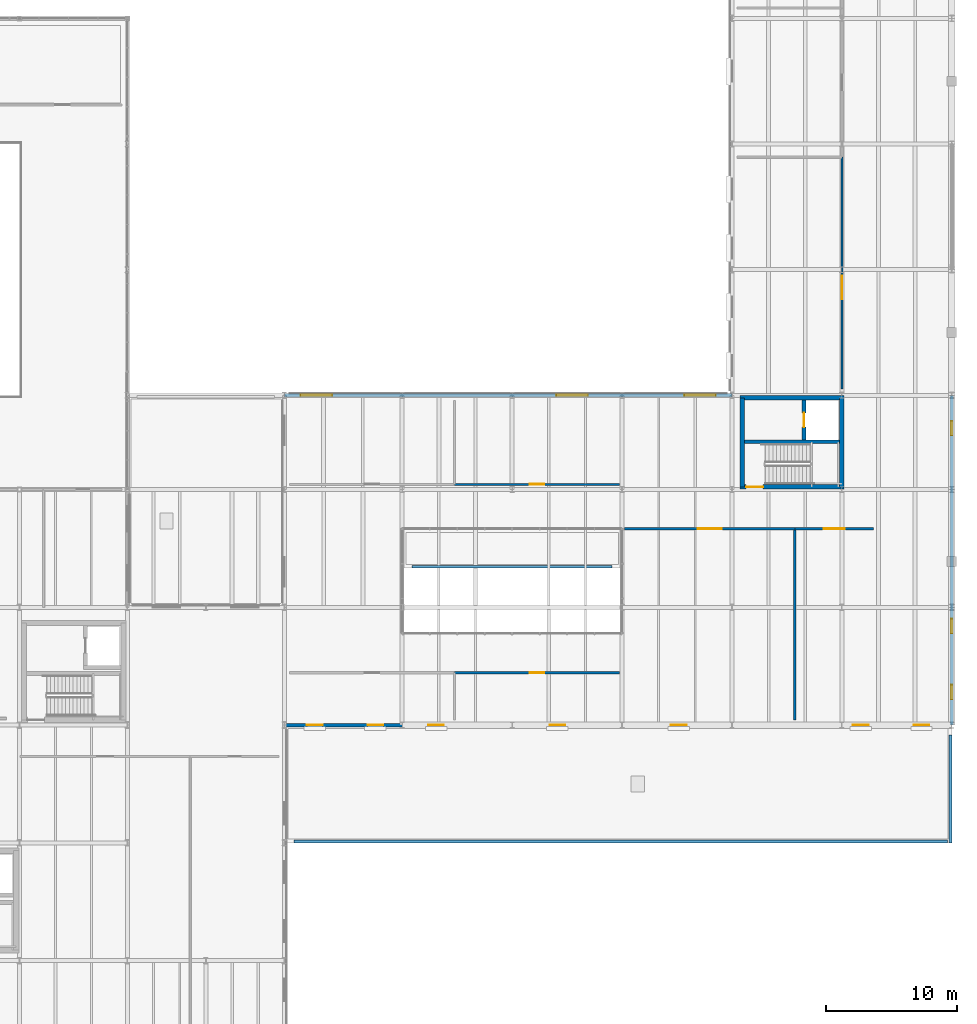
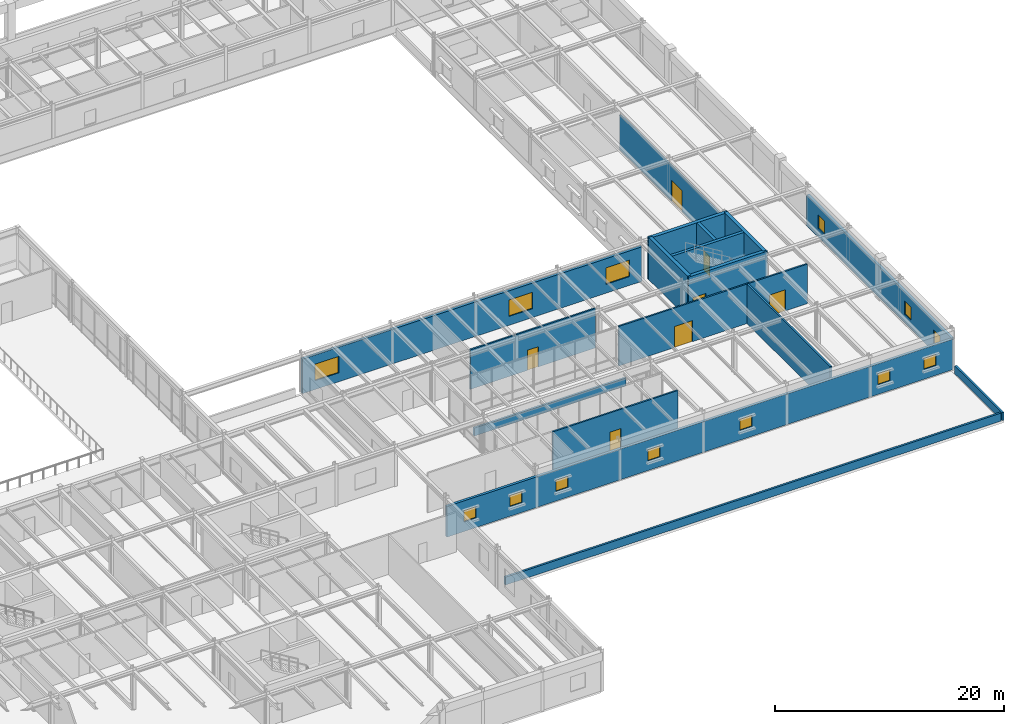
# One storey, part 52 of 64: 18 walls, 13 windows, 7 doors, 20 openings.
"""IFC4 building model written with IfcOpenShell, lengths in metres."""

from ifc_helpers import new_model, si_unit, direction, frame, frame_2d, origin, place, context, subcontext, project, spatial, rectangle, extrude, material, layer, layer_set, type_object, element, fill, save


model = new_model("IFC4")

# Units and contexts
model_context = context("Model", 3, precision=1e-05, world=origin(), true_north=direction((0.0, 1.0)))
body_context = subcontext(model_context, "Body", "Model", "MODEL_VIEW")
ifc_project = project(units=[si_unit("LENGTHUNIT", "METRE"), si_unit("AREAUNIT", "SQUARE_METRE"), si_unit("VOLUMEUNIT", "CUBIC_METRE"), si_unit("PLANEANGLEUNIT", "RADIAN"), si_unit("MASSUNIT", "GRAM", prefix="KILO")], contexts=[model_context])

# Site, building, storey
site_placement = place(None, origin())
site = spatial("IfcSite", under=ifc_project, at=site_placement, CompositionType="ELEMENT")
building_placement = place(site_placement, origin())
building = spatial("IfcBuilding", under=site, at=building_placement, Name="Montealbar Specialist Clinic", CompositionType="ELEMENT")
storey_placement = place(building_placement, frame((0.0, 0.0, 5.10009765625)))
storey = spatial("IfcBuildingStorey", under=building, at=storey_placement, Name="L01", CompositionType="ELEMENT", Elevation=5.10009765625)

# Wall
ifc_material_1 = material(Name="Concrete C35/45", Category="concrete")
ifc_layer_1 = layer(ifc_material_1, 0.300048828125, Name="Concrete C35/45", Category="concrete")
ifc_layer_set_1 = layer_set([ifc_layer_1], Name="Concrete C35/45")
wall_type_1 = type_object("IfcWallType", Name="WL-CORE-300", PredefinedType="SHEAR", material=ifc_layer_set_1)
wall_1_placement = place(storey_placement, frame((146.175048828125, 48.64990234375, 0.0), z_axis=(0.0, 0.0, 1.0), x_axis=(1.0, 0.0, 0.0)))
element("IfcWall", 1, at=wall_1_placement, inside=storey, type_object=wall_type_1, Name="Core C6 Stairwell Wall L01", PredefinedType="SHEAR", context=body_context, shape_type="SweptSolid", body=[
    extrude(rectangle(XDim=7.25, YDim=0.300048828125, at=frame_2d((3.625, 0.0))), origin(), (0.0, 0.0, 1.0), 4.5),
])

# Wall, opening, door
wall_2_placement = place(storey_placement, frame((150.699951171875, 48.800048828125, 0.0), z_axis=(0.0, 0.0, 1.0), x_axis=(0.0, 1.0, 0.0)))
wall_2 = element("IfcWall", 2, at=wall_2_placement, inside=storey, type_object=wall_type_1, Name="Lift LF-04 Shaft Wall L01 LW", PredefinedType="SHEAR", context=body_context, shape_type="SweptSolid", body=[
    extrude(rectangle(XDim=3.02490234375, YDim=0.300048828125, at=frame_2d((1.512451171875, 0.0))), origin(), (0.0, 0.0, 1.0), 4.5),
])
opening_1_placement = place(wall_2_placement, frame((0.962890625, 0.0, 0.0)))
opening_1 = element("IfcOpeningElement", 3, at=opening_1_placement, cuts=wall_2, Name="Opening LD-11", PredefinedType="OPENING", context=body_context, shape_type="SweptSolid", body=[
    extrude(rectangle(XDim=1.10009765625, YDim=2.14990234375, at=frame_2d((0.550048828125, 1.074951171875))), frame((0.0, 0.159912109375, 0.0), z_axis=(0.0, -1.0, 0.0), x_axis=(1.0, 0.0, 0.0)), (0.0, 0.0, 1.0), 0.320068359375),
])
ifc_material_2 = material(Name="Steel S355", Category="steel")
door_type_1 = type_object("IfcDoorType", Name="DR-LIFT-LD1100", OperationType="DOUBLE_DOOR_SLIDING", PredefinedType="DOOR", material=ifc_material_2)
door_1_placement = place(opening_1_placement, origin())
door_1 = element("IfcDoor", 4, at=door_1_placement, inside=storey, type_object=door_type_1, Name="Lift LF-04 Sliding Landing Door L01", OperationType="DOUBLE_DOOR_SLIDING", OverallHeight=2.14990234375, OverallWidth=1.10009765625, PredefinedType="DOOR", context=body_context, shape_type="SweptSolid", body=[
    extrude(rectangle(XDim=1.10009765625, YDim=2.14990234375, at=frame_2d((0.550048828125, 1.074951171875))), frame((0.0, 0.02490234375, 0.0), z_axis=(0.0, -1.0, 0.0), x_axis=(1.0, 0.0, 0.0)), (0.0, 0.0, 1.0), 0.050048828125),
])
fill(opening_1, door_1)

ifc_layer_2 = layer(ifc_material_1, 0.35009765625, Name="Concrete C35/45", Category="concrete")
ifc_layer_set_2 = layer_set([ifc_layer_2], Name="Concrete C35/45")
wall_type_2 = type_object("IfcWallType", Name="WL-CORE-350", PredefinedType="SHEAR", material=ifc_layer_set_2)
wall_3_placement = place(storey_placement, frame((145.824951171875, 45.199951171875, 0.0), z_axis=(0.0, 0.0, 1.0), x_axis=(1.0, 0.0, 0.0)))
wall_3 = element("IfcWall", 5, at=wall_3_placement, inside=storey, type_object=wall_type_2, Name="Core C6 Shear Wall L01 S", PredefinedType="SHEAR", context=body_context, shape_type="SweptSolid", body=[
    extrude(rectangle(XDim=7.949951171875, YDim=0.35009765625, at=frame_2d((3.97509765625, 0.0))), origin(), (0.0, 0.0, 1.0), 4.5),
])
opening_2_placement = place(wall_3_placement, frame((0.449951171875, 0.0, 0.0)))
opening_2 = element("IfcOpeningElement", 6, at=opening_2_placement, cuts=wall_3, Name="Opening SD-13", PredefinedType="OPENING", context=body_context, shape_type="SweptSolid", body=[
    extrude(rectangle(XDim=1.300048828125, YDim=2.14990234375, at=frame_2d((0.64990234375, 1.074951171875))), frame((0.0, 0.18505859375, 0.0), z_axis=(0.0, -1.0, 0.0), x_axis=(1.0, 0.0, 0.0)), (0.0, 0.0, 1.0), 0.3701171875),
])
door_type_2 = type_object("IfcDoorType", Name="DR-STAIR-W1300", OperationType="NOTDEFINED", PredefinedType="DOOR", material=ifc_material_2)
door_2_placement = place(opening_2_placement, frame((1.300048828125, 0.0, 0.0), z_axis=(0.0, 0.0, 1.0), x_axis=(-1.0, 0.0, 0.0)))
door_2 = element("IfcDoor", 7, at=door_2_placement, inside=storey, type_object=door_type_2, Name="Protected Core C6 Stair Fire Door L01", OperationType="SINGLE_SWING_RIGHT", OverallHeight=2.14990234375, OverallWidth=1.300048828125, PredefinedType="DOOR", context=body_context, shape_type="SweptSolid", body=[
    extrude(rectangle(XDim=1.300048828125, YDim=2.14990234375, at=frame_2d((0.64990234375, 1.074951171875))), frame((0.0, 0.02490234375, 0.0), z_axis=(0.0, -1.0, 0.0), x_axis=(1.0, 0.0, 0.0)), (0.0, 0.0, 1.0), 0.050048828125),
])
fill(opening_2, door_2)

# Walls
wall_4_placement = place(storey_placement, frame((145.824951171875, 52.0, 0.0), z_axis=(0.0, 0.0, 1.0), x_axis=(1.0, 0.0, 0.0)))
element("IfcWall", 8, at=wall_4_placement, inside=storey, type_object=wall_type_2, Name="Core C6 Shear Wall L01 N", PredefinedType="SHEAR", context=body_context, shape_type="SweptSolid", body=[
    extrude(rectangle(XDim=7.949951171875, YDim=0.35009765625, at=frame_2d((3.97509765625, 0.0))), origin(), (0.0, 0.0, 1.0), 4.5),
])
for number, where, z_axis, x_axis, name in (
    (9, (146.0, 45.199951171875, 0.0), (0.0, 0.0, 1.0), (0.0, 1.0, 0.0), "Core C6 Shear Wall L01 W"),
    (10, (153.60009765625, 45.199951171875, 0.0), (0.0, 0.0, 1.0), (0.0, 1.0, 0.0), "Core C6 Shear Wall L01 E"),
):
    element("IfcWall", number, at=place(storey_placement, frame(where, z_axis=z_axis, x_axis=x_axis)), inside=storey, type_object=wall_type_2, Name=name, PredefinedType="SHEAR", context=body_context, shape_type="SweptSolid", body=[
        extrude(rectangle(XDim=6.800048828125, YDim=0.35009765625, at=frame_2d((3.39990234375, 0.0))), origin(), (0.0, 0.0, 1.0), 4.5),
    ])

# Wall, openings, windows
ifc_material_3 = material(Name="Terracotta architectural cladding", Category="masonry")
ifc_layer_3 = layer(ifc_material_3, 0.260009765625, Name="Terracotta architectural cladding", Category="masonry")
ifc_layer_set_3 = layer_set([ifc_layer_3], Name="Terracotta architectural cladding")
wall_type_3 = type_object("IfcWallType", Name="WL-EXT-TERRA-260", PredefinedType="SOLIDWALL", material=ifc_layer_set_3)
wall_5_placement = place(storey_placement, frame((111.0, 52.199951171875, 0.0), z_axis=(0.0, 0.0, 1.0), x_axis=(1.0, 0.0, 0.0)))
wall_5 = element("IfcWall", 11, at=wall_5_placement, inside=storey, type_object=wall_type_3, Name="Exterior Facade Wall EW-L01-040", PredefinedType="SOLIDWALL", context=body_context, shape_type="SweptSolid", body=[
    extrude(rectangle(XDim=34.199951171875, YDim=0.260009765625, at=frame_2d((17.10009765625, 0.0))), origin(), (0.0, 0.0, 1.0), 3.679931640625),
])
opening_3_placement = place(wall_5_placement, frame((1.242919921875, 0.0, 0.949951171875)))
opening_3 = element("IfcOpeningElement", 12, at=opening_3_placement, cuts=wall_5, Name="Opening WN-09", PredefinedType="OPENING", context=body_context, shape_type="SweptSolid", body=[
    extrude(rectangle(XDim=2.39990234375, YDim=1.75, at=frame_2d((1.199951171875, 0.875))), frame((0.0, 0.139892578125, 0.0), z_axis=(0.0, -1.0, 0.0), x_axis=(1.0, 0.0, 0.0)), (0.0, 0.0, 1.0), 0.280029296875),
])
opening_4_placement = place(wall_5_placement, frame((20.785888671875, 0.0, 0.949951171875)))
opening_4 = element("IfcOpeningElement", 13, at=opening_4_placement, cuts=wall_5, Name="Opening WN-09", PredefinedType="OPENING", context=body_context, shape_type="SweptSolid", body=[
    extrude(rectangle(XDim=2.39990234375, YDim=1.75, at=frame_2d((1.199951171875, 0.875))), frame((0.0, 0.139892578125, 0.0), z_axis=(0.0, -1.0, 0.0), x_axis=(1.0, 0.0, 0.0)), (0.0, 0.0, 1.0), 0.280029296875),
])
opening_5_placement = place(wall_5_placement, frame((30.556884765625, 0.0, 0.949951171875)))
opening_5 = element("IfcOpeningElement", 14, at=opening_5_placement, cuts=wall_5, Name="Opening WN-09", PredefinedType="OPENING", context=body_context, shape_type="SweptSolid", body=[
    extrude(rectangle(XDim=2.39990234375, YDim=1.75, at=frame_2d((1.199951171875, 0.875))), frame((0.0, 0.139892578125, 0.0), z_axis=(0.0, -1.0, 0.0), x_axis=(1.0, 0.0, 0.0)), (0.0, 0.0, 1.0), 0.280029296875),
])
ifc_material_4 = material(Name="Low-E double glazing", Category="glass")
window_type_1 = type_object("IfcWindowType", Name="WIN-WN-09", PartitioningType="SINGLE_PANEL", PredefinedType="WINDOW", material=ifc_material_4)
window_1_placement = place(opening_3_placement, origin())
window_1 = element("IfcWindow", 15, at=window_1_placement, inside=storey, type_object=window_type_1, Name="Clinical Facade Window WN-09 L01-0143", OverallHeight=1.75, OverallWidth=2.39990234375, PartitioningType="SINGLE_PANEL", PredefinedType="WINDOW", context=body_context, shape_type="SweptSolid", body=[
    extrude(rectangle(XDim=2.39990234375, YDim=1.75, at=frame_2d((1.199951171875, 0.875))), frame((0.0, 0.030029296875, 0.0), z_axis=(0.0, -1.0, 0.0), x_axis=(1.0, 0.0, 0.0)), (0.0, 0.0, 1.0), 0.06005859375),
])
fill(opening_3, window_1)
window_2_placement = place(opening_4_placement, origin())
window_2 = element("IfcWindow", 16, at=window_2_placement, inside=storey, type_object=window_type_1, Name="Clinical Facade Window WN-09 L01-0144", OverallHeight=1.75, OverallWidth=2.39990234375, PartitioningType="SINGLE_PANEL", PredefinedType="WINDOW", context=body_context, shape_type="SweptSolid", body=[
    extrude(rectangle(XDim=2.39990234375, YDim=1.75, at=frame_2d((1.199951171875, 0.875))), frame((0.0, 0.030029296875, 0.0), z_axis=(0.0, -1.0, 0.0), x_axis=(1.0, 0.0, 0.0)), (0.0, 0.0, 1.0), 0.06005859375),
])
fill(opening_4, window_2)
window_3_placement = place(opening_5_placement, origin())
window_3 = element("IfcWindow", 17, at=window_3_placement, inside=storey, type_object=window_type_1, Name="Clinical Facade Window WN-09 L01-0145", OverallHeight=1.75, OverallWidth=2.39990234375, PartitioningType="SINGLE_PANEL", PredefinedType="WINDOW", context=body_context, shape_type="SweptSolid", body=[
    extrude(rectangle(XDim=2.39990234375, YDim=1.75, at=frame_2d((1.199951171875, 0.875))), frame((0.0, 0.030029296875, 0.0), z_axis=(0.0, -1.0, 0.0), x_axis=(1.0, 0.0, 0.0)), (0.0, 0.0, 1.0), 0.06005859375),
])
fill(opening_5, window_3)

wall_6_placement = place(storey_placement, frame((162.0, 52.199951171875, 0.0), z_axis=(0.0, 0.0, 1.0), x_axis=(0.0, -1.0, 0.0)))
wall_6 = element("IfcWall", 18, at=wall_6_placement, inside=storey, type_object=wall_type_3, Name="Exterior Facade Wall EW-L01-044", PredefinedType="SOLIDWALL", context=body_context, shape_type="SweptSolid", body=[
    extrude(rectangle(XDim=25.199951171875, YDim=0.260009765625, at=frame_2d((12.60009765625, 0.0))), origin(), (0.0, 0.0, 1.0), 3.31982421875),
])
opening_6_placement = place(wall_6_placement, frame((1.969970703125, 0.0, 0.949951171875)))
opening_6 = element("IfcOpeningElement", 19, at=opening_6_placement, cuts=wall_6, Name="Opening WN-13", PredefinedType="OPENING", context=body_context, shape_type="SweptSolid", body=[
    extrude(rectangle(XDim=1.10009765625, YDim=1.39990234375, at=frame_2d((0.550048828125, 0.699951171875))), frame((0.0, 0.139892578125, 0.0), z_axis=(0.0, -1.0, 0.0), x_axis=(1.0, 0.0, 0.0)), (0.0, 0.0, 1.0), 0.280029296875),
])
opening_7_placement = place(wall_6_placement, frame((17.090087890625, 0.0, 0.949951171875)))
opening_7 = element("IfcOpeningElement", 20, at=opening_7_placement, cuts=wall_6, Name="Opening WN-13", PredefinedType="OPENING", context=body_context, shape_type="SweptSolid", body=[
    extrude(rectangle(XDim=1.10009765625, YDim=1.39990234375, at=frame_2d((0.550048828125, 0.699951171875))), frame((0.0, 0.139892578125, 0.0), z_axis=(0.0, -1.0, 0.0), x_axis=(1.0, 0.0, 0.0)), (0.0, 0.0, 1.0), 0.280029296875),
])
opening_8_placement = place(wall_6_placement, frame((22.1298828125, 0.0, 0.949951171875)))
opening_8 = element("IfcOpeningElement", 21, at=opening_8_placement, cuts=wall_6, Name="Opening WN-13", PredefinedType="OPENING", context=body_context, shape_type="SweptSolid", body=[
    extrude(rectangle(XDim=1.10009765625, YDim=1.39990234375, at=frame_2d((0.550048828125, 0.699951171875))), frame((0.0, 0.139892578125, 0.0), z_axis=(0.0, -1.0, 0.0), x_axis=(1.0, 0.0, 0.0)), (0.0, 0.0, 1.0), 0.280029296875),
])
window_type_2 = type_object("IfcWindowType", Name="WIN-WN-13", PartitioningType="SINGLE_PANEL", PredefinedType="WINDOW", material=ifc_material_4)
window_4_placement = place(opening_6_placement, origin())
window_4 = element("IfcWindow", 22, at=window_4_placement, inside=storey, type_object=window_type_2, Name="Clinical Facade Window WN-13 L01-0154", OverallHeight=1.39990234375, OverallWidth=1.10009765625, PartitioningType="SINGLE_PANEL", PredefinedType="WINDOW", context=body_context, shape_type="SweptSolid", body=[
    extrude(rectangle(XDim=1.10009765625, YDim=1.39990234375, at=frame_2d((0.550048828125, 0.699951171875))), frame((0.0, 0.030029296875, 0.0), z_axis=(0.0, -1.0, 0.0), x_axis=(1.0, 0.0, 0.0)), (0.0, 0.0, 1.0), 0.06005859375),
])
fill(opening_6, window_4)
window_5_placement = place(opening_7_placement, origin())
window_5 = element("IfcWindow", 23, at=window_5_placement, inside=storey, type_object=window_type_2, Name="Clinical Facade Window WN-13 L01-0155", OverallHeight=1.39990234375, OverallWidth=1.10009765625, PartitioningType="SINGLE_PANEL", PredefinedType="WINDOW", context=body_context, shape_type="SweptSolid", body=[
    extrude(rectangle(XDim=1.10009765625, YDim=1.39990234375, at=frame_2d((0.550048828125, 0.699951171875))), frame((0.0, 0.030029296875, 0.0), z_axis=(0.0, -1.0, 0.0), x_axis=(1.0, 0.0, 0.0)), (0.0, 0.0, 1.0), 0.06005859375),
])
fill(opening_7, window_5)
window_6_placement = place(opening_8_placement, origin())
window_6 = element("IfcWindow", 24, at=window_6_placement, inside=storey, type_object=window_type_2, Name="Clinical Facade Window WN-13 L01-0156", OverallHeight=1.39990234375, OverallWidth=1.10009765625, PartitioningType="SINGLE_PANEL", PredefinedType="WINDOW", context=body_context, shape_type="SweptSolid", body=[
    extrude(rectangle(XDim=1.10009765625, YDim=1.39990234375, at=frame_2d((0.550048828125, 0.699951171875))), frame((0.0, 0.030029296875, 0.0), z_axis=(0.0, -1.0, 0.0), x_axis=(1.0, 0.0, 0.0)), (0.0, 0.0, 1.0), 0.06005859375),
])
fill(opening_8, window_6)

wall_7_placement = place(storey_placement, frame((162.0, 27.0, 0.0), z_axis=(0.0, 0.0, 1.0), x_axis=(-1.0, 0.0, 0.0)))
wall_7 = element("IfcWall", 25, at=wall_7_placement, inside=storey, type_object=wall_type_3, Name="Exterior Facade Wall EW-L01-045", PredefinedType="SOLIDWALL", context=body_context, shape_type="SweptSolid", body=[
    extrude(rectangle(XDim=51.0, YDim=0.260009765625, at=frame_2d((25.5, 0.0))), origin(), (0.0, 0.0, 1.0), 3.260009765625),
])
opening_9_placement = place(wall_7_placement, frame((1.718017578125, 0.0, 1.030029296875)))
opening_9 = element("IfcOpeningElement", 26, at=opening_9_placement, cuts=wall_7, Name="Opening WN-18", PredefinedType="OPENING", context=body_context, shape_type="SweptSolid", body=[
    extrude(rectangle(XDim=1.199951171875, YDim=1.199951171875, at=frame_2d((0.60009765625, 0.60009765625))), frame((0.0, 0.139892578125, 0.0), z_axis=(0.0, -1.0, 0.0), x_axis=(1.0, 0.0, 0.0)), (0.0, 0.0, 1.0), 0.280029296875),
])
opening_10_placement = place(wall_7_placement, frame((6.35498046875, 0.0, 1.030029296875)))
opening_10 = element("IfcOpeningElement", 27, at=opening_10_placement, cuts=wall_7, Name="Opening WN-18", PredefinedType="OPENING", context=body_context, shape_type="SweptSolid", body=[
    extrude(rectangle(XDim=1.199951171875, YDim=1.199951171875, at=frame_2d((0.60009765625, 0.60009765625))), frame((0.0, 0.139892578125, 0.0), z_axis=(0.0, -1.0, 0.0), x_axis=(1.0, 0.0, 0.0)), (0.0, 0.0, 1.0), 0.280029296875),
])
opening_11_placement = place(wall_7_placement, frame((20.263916015625, 0.0, 1.030029296875)))
opening_11 = element("IfcOpeningElement", 28, at=opening_11_placement, cuts=wall_7, Name="Opening WN-18", PredefinedType="OPENING", context=body_context, shape_type="SweptSolid", body=[
    extrude(rectangle(XDim=1.199951171875, YDim=1.199951171875, at=frame_2d((0.60009765625, 0.60009765625))), frame((0.0, 0.139892578125, 0.0), z_axis=(0.0, -1.0, 0.0), x_axis=(1.0, 0.0, 0.0)), (0.0, 0.0, 1.0), 0.280029296875),
])
opening_12_placement = place(wall_7_placement, frame((29.535888671875, 0.0, 1.030029296875)))
opening_12 = element("IfcOpeningElement", 29, at=opening_12_placement, cuts=wall_7, Name="Opening WN-18", PredefinedType="OPENING", context=body_context, shape_type="SweptSolid", body=[
    extrude(rectangle(XDim=1.199951171875, YDim=1.199951171875, at=frame_2d((0.60009765625, 0.60009765625))), frame((0.0, 0.139892578125, 0.0), z_axis=(0.0, -1.0, 0.0), x_axis=(1.0, 0.0, 0.0)), (0.0, 0.0, 1.0), 0.280029296875),
])
opening_13_placement = place(wall_7_placement, frame((38.80908203125, 0.0, 1.030029296875)))
opening_13 = element("IfcOpeningElement", 30, at=opening_13_placement, cuts=wall_7, Name="Opening WN-18", PredefinedType="OPENING", context=body_context, shape_type="SweptSolid", body=[
    extrude(rectangle(XDim=1.199951171875, YDim=1.199951171875, at=frame_2d((0.60009765625, 0.60009765625))), frame((0.0, 0.139892578125, 0.0), z_axis=(0.0, -1.0, 0.0), x_axis=(1.0, 0.0, 0.0)), (0.0, 0.0, 1.0), 0.280029296875),
])
opening_14_placement = place(wall_7_placement, frame((43.445068359375, 0.0, 1.030029296875)))
opening_14 = element("IfcOpeningElement", 31, at=opening_14_placement, cuts=wall_7, Name="Opening WN-18", PredefinedType="OPENING", context=body_context, shape_type="SweptSolid", body=[
    extrude(rectangle(XDim=1.199951171875, YDim=1.199951171875, at=frame_2d((0.60009765625, 0.60009765625))), frame((0.0, 0.139892578125, 0.0), z_axis=(0.0, -1.0, 0.0), x_axis=(1.0, 0.0, 0.0)), (0.0, 0.0, 1.0), 0.280029296875),
])
opening_15_placement = place(wall_7_placement, frame((48.08203125, 0.0, 1.030029296875)))
opening_15 = element("IfcOpeningElement", 32, at=opening_15_placement, cuts=wall_7, Name="Opening WN-18", PredefinedType="OPENING", context=body_context, shape_type="SweptSolid", body=[
    extrude(rectangle(XDim=1.199951171875, YDim=1.199951171875, at=frame_2d((0.60009765625, 0.60009765625))), frame((0.0, 0.139892578125, 0.0), z_axis=(0.0, -1.0, 0.0), x_axis=(1.0, 0.0, 0.0)), (0.0, 0.0, 1.0), 0.280029296875),
])
window_type_3 = type_object("IfcWindowType", Name="WIN-WN-18", PartitioningType="SINGLE_PANEL", PredefinedType="WINDOW", material=ifc_material_4)
window_7_placement = place(opening_9_placement, origin())
window_7 = element("IfcWindow", 33, at=window_7_placement, inside=storey, type_object=window_type_3, Name="Clinical Facade Postmodern Oculus Window WN-18 L01-0157", OverallHeight=1.199951171875, OverallWidth=1.199951171875, PartitioningType="SINGLE_PANEL", PredefinedType="WINDOW", context=body_context, shape_type="SweptSolid", body=[
    extrude(rectangle(XDim=1.199951171875, YDim=1.199951171875, at=frame_2d((0.60009765625, 0.60009765625))), frame((0.0, 0.030029296875, 0.0), z_axis=(0.0, -1.0, 0.0), x_axis=(1.0, 0.0, 0.0)), (0.0, 0.0, 1.0), 0.06005859375),
])
fill(opening_9, window_7)
window_8_placement = place(opening_10_placement, origin())
window_8 = element("IfcWindow", 34, at=window_8_placement, inside=storey, type_object=window_type_3, Name="Clinical Facade Postmodern Oculus Window WN-18 L01-0158", OverallHeight=1.199951171875, OverallWidth=1.199951171875, PartitioningType="SINGLE_PANEL", PredefinedType="WINDOW", context=body_context, shape_type="SweptSolid", body=[
    extrude(rectangle(XDim=1.199951171875, YDim=1.199951171875, at=frame_2d((0.60009765625, 0.60009765625))), frame((0.0, 0.030029296875, 0.0), z_axis=(0.0, -1.0, 0.0), x_axis=(1.0, 0.0, 0.0)), (0.0, 0.0, 1.0), 0.06005859375),
])
fill(opening_10, window_8)
window_9_placement = place(opening_11_placement, origin())
window_9 = element("IfcWindow", 35, at=window_9_placement, inside=storey, type_object=window_type_3, Name="Clinical Facade Postmodern Oculus Window WN-18 L01-0159", OverallHeight=1.199951171875, OverallWidth=1.199951171875, PartitioningType="SINGLE_PANEL", PredefinedType="WINDOW", context=body_context, shape_type="SweptSolid", body=[
    extrude(rectangle(XDim=1.199951171875, YDim=1.199951171875, at=frame_2d((0.60009765625, 0.60009765625))), frame((0.0, 0.030029296875, 0.0), z_axis=(0.0, -1.0, 0.0), x_axis=(1.0, 0.0, 0.0)), (0.0, 0.0, 1.0), 0.06005859375),
])
fill(opening_11, window_9)
window_10_placement = place(opening_12_placement, origin())
window_10 = element("IfcWindow", 36, at=window_10_placement, inside=storey, type_object=window_type_3, Name="Clinical Facade Postmodern Oculus Window WN-18 L01-0160", OverallHeight=1.199951171875, OverallWidth=1.199951171875, PartitioningType="SINGLE_PANEL", PredefinedType="WINDOW", context=body_context, shape_type="SweptSolid", body=[
    extrude(rectangle(XDim=1.199951171875, YDim=1.199951171875, at=frame_2d((0.60009765625, 0.60009765625))), frame((0.0, 0.030029296875, 0.0), z_axis=(0.0, -1.0, 0.0), x_axis=(1.0, 0.0, 0.0)), (0.0, 0.0, 1.0), 0.06005859375),
])
fill(opening_12, window_10)
window_11_placement = place(opening_13_placement, origin())
window_11 = element("IfcWindow", 37, at=window_11_placement, inside=storey, type_object=window_type_3, Name="Clinical Facade Postmodern Oculus Window WN-18 L01-0161", OverallHeight=1.199951171875, OverallWidth=1.199951171875, PartitioningType="SINGLE_PANEL", PredefinedType="WINDOW", context=body_context, shape_type="SweptSolid", body=[
    extrude(rectangle(XDim=1.199951171875, YDim=1.199951171875, at=frame_2d((0.60009765625, 0.60009765625))), frame((0.0, 0.030029296875, 0.0), z_axis=(0.0, -1.0, 0.0), x_axis=(1.0, 0.0, 0.0)), (0.0, 0.0, 1.0), 0.06005859375),
])
fill(opening_13, window_11)
window_12_placement = place(opening_14_placement, origin())
window_12 = element("IfcWindow", 38, at=window_12_placement, inside=storey, type_object=window_type_3, Name="Clinical Facade Postmodern Oculus Window WN-18 L01-0162", OverallHeight=1.199951171875, OverallWidth=1.199951171875, PartitioningType="SINGLE_PANEL", PredefinedType="WINDOW", context=body_context, shape_type="SweptSolid", body=[
    extrude(rectangle(XDim=1.199951171875, YDim=1.199951171875, at=frame_2d((0.60009765625, 0.60009765625))), frame((0.0, 0.030029296875, 0.0), z_axis=(0.0, -1.0, 0.0), x_axis=(1.0, 0.0, 0.0)), (0.0, 0.0, 1.0), 0.06005859375),
])
fill(opening_14, window_12)
window_13_placement = place(opening_15_placement, origin())
window_13 = element("IfcWindow", 39, at=window_13_placement, inside=storey, type_object=window_type_3, Name="Clinical Facade Postmodern Oculus Window WN-18 L01-0163", OverallHeight=1.199951171875, OverallWidth=1.199951171875, PartitioningType="SINGLE_PANEL", PredefinedType="WINDOW", context=body_context, shape_type="SweptSolid", body=[
    extrude(rectangle(XDim=1.199951171875, YDim=1.199951171875, at=frame_2d((0.60009765625, 0.60009765625))), frame((0.0, 0.030029296875, 0.0), z_axis=(0.0, -1.0, 0.0), x_axis=(1.0, 0.0, 0.0)), (0.0, 0.0, 1.0), 0.06005859375),
])
fill(opening_15, window_13)

# Walls
ifc_material_5 = material(Name="Precast concrete C40/50", Category="concrete")
ifc_layer_4 = layer(ifc_material_5, 0.199951171875, Name="Precast concrete C40/50", Category="concrete")
ifc_layer_set_4 = layer_set([ifc_layer_4], Name="Precast concrete C40/50")
wall_type_4 = type_object("IfcWallType", Name="WL-PARAPET-200", PredefinedType="PARAPET", material=ifc_layer_set_4)
wall_8_placement = place(storey_placement, frame((161.89990234375, 26.25, 0.0), z_axis=(0.0, 0.0, 1.0), x_axis=(0.0, -1.0, 0.0)))
element("IfcWall", 40, at=wall_8_placement, inside=storey, type_object=wall_type_4, Name="Roof Parapet L01-001", PredefinedType="PARAPET", context=body_context, shape_type="SweptSolid", body=[
    extrude(rectangle(XDim=8.25, YDim=0.199951171875, at=frame_2d((4.125, 0.0))), origin(), (0.0, 0.0, 1.0), 0.849853515625),
])
wall_9_placement = place(storey_placement, frame((161.68505859375, 18.10009765625, 0.0), z_axis=(0.0, 0.0, 1.0), x_axis=(-1.0, 0.0, 0.0)))
element("IfcWall", 41, at=wall_9_placement, inside=storey, type_object=wall_type_4, Name="Roof Parapet L01-002", PredefinedType="PARAPET", context=body_context, shape_type="SweptSolid", body=[
    extrude(rectangle(XDim=49.93505859375, YDim=0.199951171875, at=frame_2d((24.967529296875, 0.0))), origin(), (0.0, 0.0, 1.0), 0.849853515625),
])
wall_10_placement = place(storey_placement, frame((136.050048828125, 39.10009765625, 0.0), z_axis=(0.0, 0.0, 1.0), x_axis=(-1.0, 0.0, 0.0)))
element("IfcWall", 42, at=wall_10_placement, inside=storey, type_object=wall_type_4, Name="Roof Parapet L01-005", PredefinedType="PARAPET", context=body_context, shape_type="SweptSolid", body=[
    extrude(rectangle(XDim=15.300048828125, YDim=0.199951171875, at=frame_2d((7.64990234375, 0.0))), origin(), (0.0, 0.0, 1.0), 0.849853515625),
])

# Wall, opening, door
ifc_material_6 = material(Name="Gypsum acoustic partition", Category="gypsum")
ifc_layer_5 = layer(ifc_material_6, 0.159912109375, Name="Gypsum acoustic partition", Category="gypsum")
ifc_layer_set_5 = layer_set([ifc_layer_5], Name="Gypsum acoustic partition")
wall_type_5 = type_object("IfcWallType", Name="WL-PART-CLINIC-160", PredefinedType="PARTITIONING", material=ifc_layer_set_5)
wall_11_placement = place(storey_placement, frame((137.0, 42.0, 0.0), z_axis=(0.0, 0.0, 1.0), x_axis=(1.0, 0.0, 0.0)))
wall_11 = element("IfcWall", 43, at=wall_11_placement, inside=storey, type_object=wall_type_5, Name="Clinical Partition PART-L01-0100", PredefinedType="PARTITIONING", context=body_context, shape_type="SweptSolid", body=[
    extrude(rectangle(XDim=13.0, YDim=0.159912109375, at=frame_2d((6.5, 0.0))), origin(), (0.0, 0.0, 1.0), 4.2099609375),
])
opening_16_placement = place(wall_11_placement, frame((5.60009765625, 0.0, 0.0)))
opening_16 = element("IfcOpeningElement", 44, at=opening_16_placement, cuts=wall_11, Name="Opening ID-180", PredefinedType="OPENING", context=body_context, shape_type="SweptSolid", body=[
    extrude(rectangle(XDim=1.800048828125, YDim=2.25, at=frame_2d((0.89990234375, 1.125))), frame((0.0, 0.08984375, 0.0), z_axis=(0.0, -1.0, 0.0), x_axis=(1.0, 0.0, 0.0)), (0.0, 0.0, 1.0), 0.179931640625),
])
ifc_material_7 = material(Name="Acoustic timber leaf", Category="wood")
door_type_3 = type_object("IfcDoorType", Name="DR-DBL-W1800", OperationType="DOUBLE_DOOR_SINGLE_SWING", PredefinedType="DOOR", material=ifc_material_7)
door_3_placement = place(opening_16_placement, origin())
door_3 = element("IfcDoor", 45, at=door_3_placement, inside=storey, type_object=door_type_3, Name="Clinical Room Door IDR-L01-0066", OperationType="DOUBLE_DOOR_SINGLE_SWING", OverallHeight=2.25, OverallWidth=1.800048828125, PredefinedType="DOOR", context=body_context, shape_type="SweptSolid", body=[
    extrude(rectangle(XDim=1.800048828125, YDim=2.25, at=frame_2d((0.89990234375, 1.125))), frame((0.0, 0.02490234375, 0.0), z_axis=(0.0, -1.0, 0.0), x_axis=(1.0, 0.0, 0.0)), (0.0, 0.0, 1.0), 0.050048828125),
])
fill(opening_16, door_3)

wall_12_placement = place(storey_placement, frame((150.0, 42.0, 0.0), z_axis=(0.0, 0.0, 1.0), x_axis=(1.0, 0.0, 0.0)))
wall_12 = element("IfcWall", 46, at=wall_12_placement, inside=storey, type_object=wall_type_5, Name="Clinical Partition PART-L01-0102", PredefinedType="PARTITIONING", context=body_context, shape_type="SweptSolid", body=[
    extrude(rectangle(XDim=6.0, YDim=0.159912109375, at=frame_2d((3.0, 0.0))), origin(), (0.0, 0.0, 1.0), 4.2099609375),
])
opening_17_placement = place(wall_12_placement, frame((2.199951171875, 0.0, 0.0)))
opening_17 = element("IfcOpeningElement", 47, at=opening_17_placement, cuts=wall_12, Name="Opening PD-160", PredefinedType="OPENING", context=body_context, shape_type="SweptSolid", body=[
    extrude(rectangle(XDim=1.60009765625, YDim=2.25, at=frame_2d((0.800048828125, 1.125))), frame((0.0, 0.08984375, 0.0), z_axis=(0.0, -1.0, 0.0), x_axis=(1.0, 0.0, 0.0)), (0.0, 0.0, 1.0), 0.179931640625),
])
door_type_4 = type_object("IfcDoorType", Name="DR-PLANT-W1600", OperationType="DOUBLE_DOOR_SINGLE_SWING", PredefinedType="DOOR", material=ifc_material_7)
door_4_placement = place(opening_17_placement, origin())
door_4 = element("IfcDoor", 48, at=door_4_placement, inside=storey, type_object=door_type_4, Name="Clinical Room Door IDR-L01-0067", OperationType="DOUBLE_DOOR_SINGLE_SWING", OverallHeight=2.25, OverallWidth=1.60009765625, PredefinedType="DOOR", context=body_context, shape_type="SweptSolid", body=[
    extrude(rectangle(XDim=1.60009765625, YDim=2.25, at=frame_2d((0.800048828125, 1.125))), frame((0.0, 0.02490234375, 0.0), z_axis=(0.0, -1.0, 0.0), x_axis=(1.0, 0.0, 0.0)), (0.0, 0.0, 1.0), 0.050048828125),
])
fill(opening_17, door_4)

wall_13_placement = place(storey_placement, frame((153.60009765625, 52.679931640625, 0.0), z_axis=(0.0, 0.0, 1.0), x_axis=(0.0, 1.0, 0.0)))
wall_13 = element("IfcWall", 49, at=wall_13_placement, inside=storey, type_object=wall_type_5, Name="Clinical Partition PART-L01-0103", PredefinedType="PARTITIONING", context=body_context, shape_type="SweptSolid", body=[
    extrude(rectangle(XDim=17.719970703125, YDim=0.159912109375, at=frame_2d((8.85986328125, 0.0))), origin(), (0.0, 0.0, 1.0), 3.719970703125),
])
opening_18_placement = place(wall_13_placement, frame((6.867919921875, 0.0, 0.0)))
opening_18 = element("IfcOpeningElement", 50, at=opening_18_placement, cuts=wall_13, Name="Opening ID-180", PredefinedType="OPENING", context=body_context, shape_type="SweptSolid", body=[
    extrude(rectangle(XDim=1.800048828125, YDim=2.25, at=frame_2d((0.89990234375, 1.125))), frame((0.0, 0.08984375, 0.0), z_axis=(0.0, -1.0, 0.0), x_axis=(1.0, 0.0, 0.0)), (0.0, 0.0, 1.0), 0.179931640625),
])
door_5_placement = place(opening_18_placement, frame((1.800048828125, 0.0, 0.0), z_axis=(0.0, 0.0, 1.0), x_axis=(-1.0, 0.0, 0.0)))
door_5 = element("IfcDoor", 51, at=door_5_placement, inside=storey, type_object=door_type_3, Name="Clinical Room Door IDR-L01-0068", OperationType="DOUBLE_DOOR_SINGLE_SWING", OverallHeight=2.25, OverallWidth=1.800048828125, PredefinedType="DOOR", context=body_context, shape_type="SweptSolid", body=[
    extrude(rectangle(XDim=1.800048828125, YDim=2.25, at=frame_2d((0.89990234375, 1.125))), frame((0.0, 0.02490234375, 0.0), z_axis=(0.0, -1.0, 0.0), x_axis=(1.0, 0.0, 0.0)), (0.0, 0.0, 1.0), 0.050048828125),
])
fill(opening_18, door_5)

wall_14_placement = place(storey_placement, frame((124.0, 45.39990234375, 0.0), z_axis=(0.0, 0.0, 1.0), x_axis=(1.0, 0.0, 0.0)))
wall_14 = element("IfcWall", 52, at=wall_14_placement, inside=storey, type_object=wall_type_5, Name="Clinical Partition PART-L01-0121", PredefinedType="PARTITIONING", context=body_context, shape_type="SweptSolid", body=[
    extrude(rectangle(XDim=12.60009765625, YDim=0.159912109375, at=frame_2d((6.300048828125, 0.0))), origin(), (0.0, 0.0, 1.0), 4.2099609375),
])
opening_19_placement = place(wall_14_placement, frame((5.75, 0.0, 0.0)))
opening_19 = element("IfcOpeningElement", 53, at=opening_19_placement, cuts=wall_14, Name="Opening ID-110", PredefinedType="OPENING", context=body_context, shape_type="SweptSolid", body=[
    extrude(rectangle(XDim=1.10009765625, YDim=2.14990234375, at=frame_2d((0.550048828125, 1.074951171875))), frame((0.0, 0.08984375, 0.0), z_axis=(0.0, -1.0, 0.0), x_axis=(1.0, 0.0, 0.0)), (0.0, 0.0, 1.0), 0.179931640625),
])
door_type_5 = type_object("IfcDoorType", Name="DR-CLIN-W1100", OperationType="NOTDEFINED", PredefinedType="DOOR", material=ifc_material_7)
door_6_placement = place(opening_19_placement, frame((1.10009765625, 0.0, 0.0), z_axis=(0.0, 0.0, 1.0), x_axis=(-1.0, 0.0, 0.0)))
door_6 = element("IfcDoor", 54, at=door_6_placement, inside=storey, type_object=door_type_5, Name="Clinical Room Door IDR-L01-0079", OperationType="SINGLE_SWING_RIGHT", OverallHeight=2.14990234375, OverallWidth=1.10009765625, PredefinedType="DOOR", context=body_context, shape_type="SweptSolid", body=[
    extrude(rectangle(XDim=1.10009765625, YDim=2.14990234375, at=frame_2d((0.550048828125, 1.074951171875))), frame((0.0, 0.02490234375, 0.0), z_axis=(0.0, -1.0, 0.0), x_axis=(1.0, 0.0, 0.0)), (0.0, 0.0, 1.0), 0.050048828125),
])
fill(opening_19, door_6)

wall_15_placement = place(storey_placement, frame((124.0, 31.0, 0.0), z_axis=(0.0, 0.0, 1.0), x_axis=(1.0, 0.0, 0.0)))
wall_15 = element("IfcWall", 55, at=wall_15_placement, inside=storey, type_object=wall_type_5, Name="Clinical Partition PART-L01-0127", PredefinedType="PARTITIONING", context=body_context, shape_type="SweptSolid", body=[
    extrude(rectangle(XDim=12.60009765625, YDim=0.159912109375, at=frame_2d((6.300048828125, 0.0))), origin(), (0.0, 0.0, 1.0), 4.2099609375),
])
opening_20_placement = place(wall_15_placement, frame((5.75, 0.0, 0.0)))
opening_20 = element("IfcOpeningElement", 56, at=opening_20_placement, cuts=wall_15, Name="Opening ID-110", PredefinedType="OPENING", context=body_context, shape_type="SweptSolid", body=[
    extrude(rectangle(XDim=1.10009765625, YDim=2.14990234375, at=frame_2d((0.550048828125, 1.074951171875))), frame((0.0, 0.08984375, 0.0), z_axis=(0.0, -1.0, 0.0), x_axis=(1.0, 0.0, 0.0)), (0.0, 0.0, 1.0), 0.179931640625),
])
door_7_placement = place(opening_20_placement, origin())
door_7 = element("IfcDoor", 57, at=door_7_placement, inside=storey, type_object=door_type_5, Name="Clinical Room Door IDR-L01-0083", OperationType="SINGLE_SWING_RIGHT", OverallHeight=2.14990234375, OverallWidth=1.10009765625, PredefinedType="DOOR", context=body_context, shape_type="SweptSolid", body=[
    extrude(rectangle(XDim=1.10009765625, YDim=2.14990234375, at=frame_2d((0.550048828125, 1.074951171875))), frame((0.0, 0.02490234375, 0.0), z_axis=(0.0, -1.0, 0.0), x_axis=(1.0, 0.0, 0.0)), (0.0, 0.0, 1.0), 0.050048828125),
])
fill(opening_20, door_7)

# Wall
ifc_material_8 = material(Name="Ceramic-lined wet partition", Category="brick")
ifc_layer_6 = layer(ifc_material_8, 0.179931640625, Name="Ceramic-lined wet partition", Category="brick")
ifc_layer_set_6 = layer_set([ifc_layer_6], Name="Ceramic-lined wet partition")
wall_type_6 = type_object("IfcWallType", Name="WL-PART-WET-180", PredefinedType="PARTITIONING", material=ifc_layer_set_6)
wall_16_placement = place(storey_placement, frame((150.0, 27.39990234375, 0.0), z_axis=(0.0, 0.0, 1.0), x_axis=(0.0, 1.0, 0.0)))
element("IfcWall", 58, at=wall_16_placement, inside=storey, type_object=wall_type_6, Name="Clinical Partition PART-L01-0101", PredefinedType="PARTITIONING", context=body_context, shape_type="SweptSolid", body=[
    extrude(rectangle(XDim=14.60009765625, YDim=0.179931640625, at=frame_2d((7.300048828125, 0.0))), origin(), (0.0, 0.0, 1.0), 4.2099609375),
])

save(model, "model.ifc")
